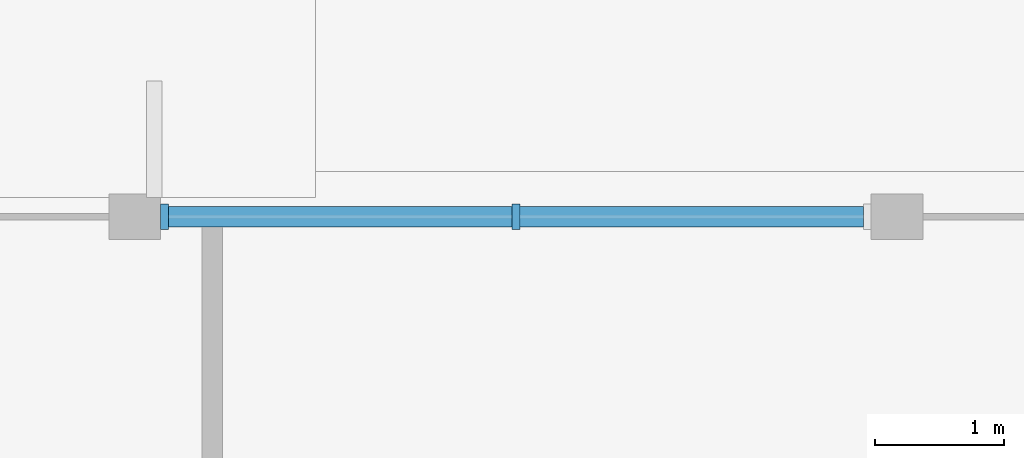
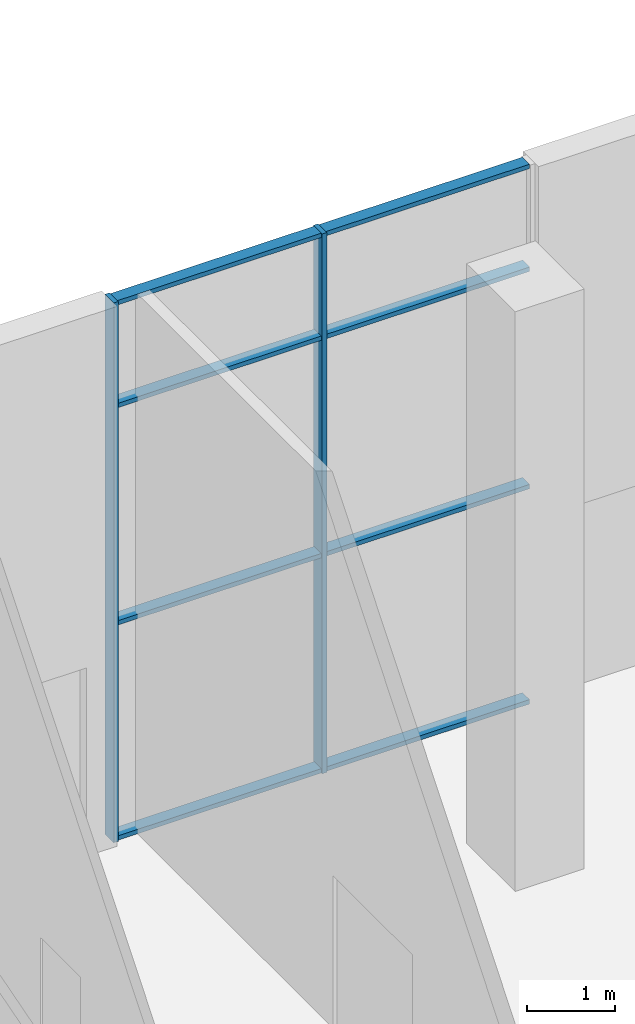
# One storey, part 6 of 33: 10 members, 1 element without a shape of its own.
"""IFC4 building model written with IfcOpenShell, lengths in metres."""

from ifc_helpers import new_model, si_unit, direction, frame, origin, origin_2d, place, context, subcontext, project, spatial, rectangle, extrude, material, layer, layer_set, material_profile, profile_set, type_object, element, aggregate, save


model = new_model("IFC4")

# Units and contexts
model_context = context("Model", 3, precision=1e-05, world=origin(), true_north=direction((0.0, 1.0)))
body_context = subcontext(model_context, "Body", "Model", "MODEL_VIEW")
ifc_project = project(units=[si_unit("LENGTHUNIT", "METRE"), si_unit("AREAUNIT", "SQUARE_METRE"), si_unit("VOLUMEUNIT", "CUBIC_METRE"), si_unit("PLANEANGLEUNIT", "RADIAN"), si_unit("MASSUNIT", "GRAM", prefix="KILO")], contexts=[model_context])

# Site, building, storey
site_placement = place(None, origin())
site = spatial("IfcSite", under=ifc_project, at=site_placement, CompositionType="ELEMENT")
building_placement = place(site_placement, origin())
building = spatial("IfcBuilding", under=site, at=building_placement, Name="Alderwake Tower", CompositionType="ELEMENT")
storey_placement = place(building_placement, origin())
storey = spatial("IfcBuildingStorey", under=building, at=storey_placement, Name="L00", CompositionType="ELEMENT", Elevation=0.0)

# Curtain wall, members
ifc_material_1 = material(Name="Bronze tinted glass in aluminium frame", Category="aluminium")
ifc_layer = layer(ifc_material_1, 0.25)
ifc_layer_set = layer_set([ifc_layer], Name="Curtain wall CW1 podium shopfront")
curtain_wall_type = type_object("IfcCurtainWallType", Name="Curtain wall CW1 podium shopfront", PredefinedType="NOTDEFINED", material=ifc_layer_set)
curtain_wall_placement = place(storey_placement, origin())
curtain_wall = element("IfcCurtainWall", 1, at=curtain_wall_placement, inside=storey, type_object=curtain_wall_type, Name="Curtain wall 21", PredefinedType="NOTDEFINED")
ifc_material_2 = material(Name="Aluminium bronze anodised", Category="aluminium")
ifc_material_profile_1 = material_profile(ifc_material_2, rectangle(XDim=0.199951171875, YDim=0.06005859375, at=origin_2d()), Name="Mullion MUA 60x200")
ifc_profile_set_1 = profile_set([ifc_material_profile_1], Name="Aluminium bronze anodised")
member_type_1 = type_object("IfcMemberType", Name="Mullion MUA 60x200", PredefinedType="MULLION", material=ifc_profile_set_1)
member_1_placement = place(storey_placement, frame((62.85009765625, 114.64990234375, 0.0), z_axis=(0.0, 0.0, 1.0), x_axis=(0.0, -1.0, 0.0)))
member_1 = element("IfcMember", 2, at=member_1_placement, type_object=member_type_1, Name="CW.21 mullion 2", PredefinedType="MULLION", context=body_context, shape_type="SweptSolid", body=[
    extrude(rectangle(XDim=0.199951171875, YDim=0.06005859375, at=origin_2d()), origin(), (0.0, 0.0, 1.0), 7.449951171875),
])
member_2_placement = place(storey_placement, frame((60.1298828125, 114.64990234375, 0.0), z_axis=(0.0, 0.0, 1.0), x_axis=(0.0, -1.0, 0.0)))
member_2 = element("IfcMember", 3, at=member_2_placement, type_object=member_type_1, Name="CW.21 mullion 3", PredefinedType="MULLION", context=body_context, shape_type="SweptSolid", body=[
    extrude(rectangle(XDim=0.199951171875, YDim=0.06005859375, at=origin_2d()), origin(), (0.0, 0.0, 1.0), 7.449951171875),
])
ifc_material_3 = material(Name="Aluminium bronze anodised", Category="aluminium")
ifc_material_profile_2 = material_profile(ifc_material_3, rectangle(XDim=0.159912109375, YDim=0.06005859375, at=origin_2d()), Name="Transom TRA 60x160")
ifc_profile_set_2 = profile_set([ifc_material_profile_2], Name="Aluminium bronze anodised")
member_type_2 = type_object("IfcMemberType", Name="Transom TRA 60x160", PredefinedType="USERDEFINED", material=ifc_profile_set_2)
member_3_placement = place(storey_placement, frame((65.5400390625, 114.64990234375, 0.030029296875), z_axis=(-1.0, 0.0, 0.0), x_axis=(0.0, -1.0, 0.0)))
member_3 = element("IfcMember", 4, at=member_3_placement, type_object=member_type_2, Name="CW.21 transom 1.1", ObjectType="TRANSOM", PredefinedType="USERDEFINED", context=body_context, shape_type="SweptSolid", body=[
    extrude(rectangle(XDim=0.159912109375, YDim=0.06005859375, at=origin_2d()), origin(), (0.0, 0.0, 1.0), 2.66015625),
])
member_4_placement = place(storey_placement, frame((65.5400390625, 114.64990234375, 3.0), z_axis=(-1.0, 0.0, 0.0), x_axis=(0.0, -1.0, 0.0)))
member_4 = element("IfcMember", 5, at=member_4_placement, type_object=member_type_2, Name="CW.21 transom 1.2", ObjectType="TRANSOM", PredefinedType="USERDEFINED", context=body_context, shape_type="SweptSolid", body=[
    extrude(rectangle(XDim=0.159912109375, YDim=0.06005859375, at=origin_2d()), origin(), (0.0, 0.0, 1.0), 2.66015625),
])
member_5_placement = place(storey_placement, frame((65.5400390625, 114.64990234375, 6.0), z_axis=(-1.0, 0.0, 0.0), x_axis=(0.0, -1.0, 0.0)))
member_5 = element("IfcMember", 6, at=member_5_placement, type_object=member_type_2, Name="CW.21 transom 1.3", ObjectType="TRANSOM", PredefinedType="USERDEFINED", context=body_context, shape_type="SweptSolid", body=[
    extrude(rectangle(XDim=0.159912109375, YDim=0.06005859375, at=origin_2d()), origin(), (0.0, 0.0, 1.0), 2.66015625),
])
member_6_placement = place(storey_placement, frame((65.5400390625, 114.64990234375, 7.419921875), z_axis=(-1.0, 0.0, 0.0), x_axis=(0.0, -1.0, 0.0)))
member_6 = element("IfcMember", 7, at=member_6_placement, type_object=member_type_2, Name="CW.21 transom 1.4", ObjectType="TRANSOM", PredefinedType="USERDEFINED", context=body_context, shape_type="SweptSolid", body=[
    extrude(rectangle(XDim=0.159912109375, YDim=0.06005859375, at=origin_2d()), origin(), (0.0, 0.0, 1.0), 2.66015625),
])
member_7_placement = place(storey_placement, frame((62.820068359375, 114.64990234375, 0.030029296875), z_axis=(-1.0, 0.0, 0.0), x_axis=(0.0, -1.0, 0.0)))
member_7 = element("IfcMember", 8, at=member_7_placement, type_object=member_type_2, Name="CW.21 transom 2.1", ObjectType="TRANSOM", PredefinedType="USERDEFINED", context=body_context, shape_type="SweptSolid", body=[
    extrude(rectangle(XDim=0.159912109375, YDim=0.06005859375, at=origin_2d()), origin(), (0.0, 0.0, 1.0), 2.66015625),
])
member_8_placement = place(storey_placement, frame((62.820068359375, 114.64990234375, 3.0), z_axis=(-1.0, 0.0, 0.0), x_axis=(0.0, -1.0, 0.0)))
member_8 = element("IfcMember", 9, at=member_8_placement, type_object=member_type_2, Name="CW.21 transom 2.2", ObjectType="TRANSOM", PredefinedType="USERDEFINED", context=body_context, shape_type="SweptSolid", body=[
    extrude(rectangle(XDim=0.159912109375, YDim=0.06005859375, at=origin_2d()), origin(), (0.0, 0.0, 1.0), 2.66015625),
])
member_9_placement = place(storey_placement, frame((62.820068359375, 114.64990234375, 6.0), z_axis=(-1.0, 0.0, 0.0), x_axis=(0.0, -1.0, 0.0)))
member_9 = element("IfcMember", 10, at=member_9_placement, type_object=member_type_2, Name="CW.21 transom 2.3", ObjectType="TRANSOM", PredefinedType="USERDEFINED", context=body_context, shape_type="SweptSolid", body=[
    extrude(rectangle(XDim=0.159912109375, YDim=0.06005859375, at=origin_2d()), origin(), (0.0, 0.0, 1.0), 2.66015625),
])
member_10_placement = place(storey_placement, frame((62.820068359375, 114.64990234375, 7.419921875), z_axis=(-1.0, 0.0, 0.0), x_axis=(0.0, -1.0, 0.0)))
member_10 = element("IfcMember", 11, at=member_10_placement, type_object=member_type_2, Name="CW.21 transom 2.4", ObjectType="TRANSOM", PredefinedType="USERDEFINED", context=body_context, shape_type="SweptSolid", body=[
    extrude(rectangle(XDim=0.159912109375, YDim=0.06005859375, at=origin_2d()), origin(), (0.0, 0.0, 1.0), 2.66015625),
])
aggregate(curtain_wall, [member_1, member_2, member_3, member_4, member_5, member_6, member_7, member_8, member_9, member_10])

save(model, "model.ifc")
